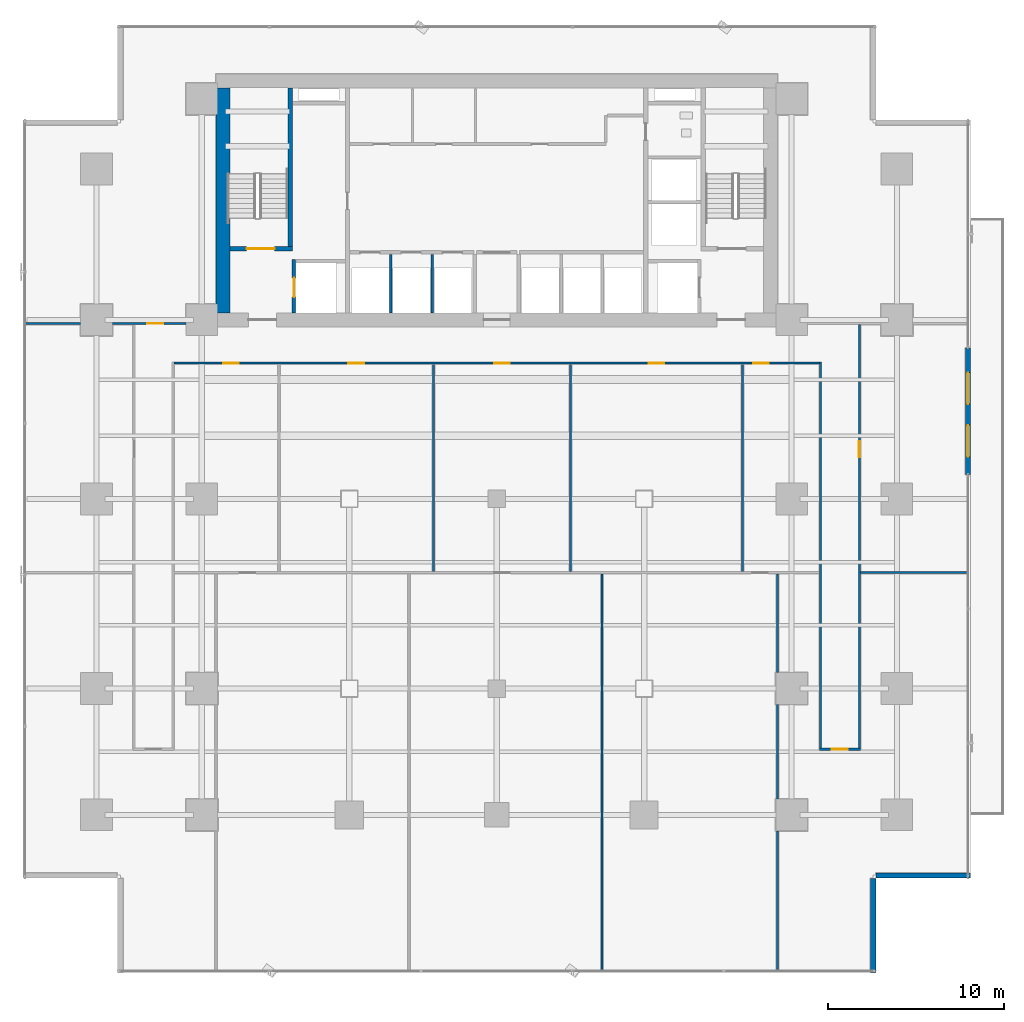
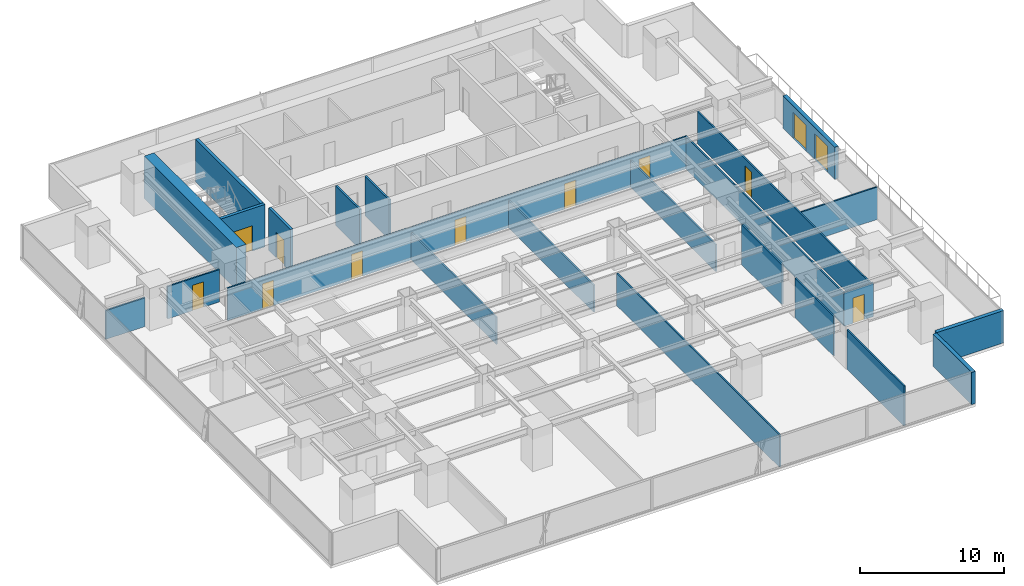
# One storey, part 25 of 33: 23 walls, 12 doors, 12 openings.
"""IFC4 building model written with IfcOpenShell, lengths in metres."""

from ifc_helpers import new_model, si_unit, direction, frame, frame_2d, origin, place, context, subcontext, project, spatial, rectangle, extrude, source, transform, mapped, material, layer, layer_set, type_object, element, fill, save


model = new_model("IFC4")

# Units and contexts
model_context = context("Model", 3, precision=1e-05, world=origin(), true_north=direction((0.0, 1.0)))
body_context = subcontext(model_context, "Body", "Model", "MODEL_VIEW")
ifc_project = project(units=[si_unit("LENGTHUNIT", "METRE"), si_unit("AREAUNIT", "SQUARE_METRE"), si_unit("VOLUMEUNIT", "CUBIC_METRE"), si_unit("PLANEANGLEUNIT", "RADIAN"), si_unit("MASSUNIT", "GRAM", prefix="KILO")], contexts=[model_context])

# Site, building, storey
site_placement = place(None, origin())
site = spatial("IfcSite", under=ifc_project, at=site_placement, CompositionType="ELEMENT")
building_placement = place(site_placement, origin())
building = spatial("IfcBuilding", under=site, at=building_placement, Name="Sumidabori Civic Tower", CompositionType="ELEMENT")
storey_placement = place(building_placement, frame((0.0, 0.0, 23.60009765625)))
storey = spatial("IfcBuildingStorey", under=building, at=storey_placement, Name="L05", CompositionType="ELEMENT", Elevation=23.60009765625)

# Wall
ifc_material_1 = material(Name="Concrete C60/75", Category="concrete")
ifc_layer_1 = layer(ifc_material_1, 0.800048828125, Name="Concrete C60/75")
ifc_layer_set_1 = layer_set([ifc_layer_1], Name="Concrete C60/75")
wall_type_1 = type_object("IfcWallType", Name="WL-CORE-800", PredefinedType="SHEAR", material=ifc_layer_set_1)
shared_shape_1 = source(origin(), body_context, "Body", "SweptSolid", [
    extrude(rectangle(XDim=12.7998046875, YDim=0.800048828125, at=frame_2d((6.39990234375, 0.0))), origin(), (0.0, 0.0, 1.0), 3.599853515625),
])
wall_1_placement = place(storey_placement, frame((-15.60009765625, 10.60009765625, 0.0), z_axis=(0.0, 0.0, 1.0), x_axis=(0.0, 1.0, 0.0)))
element("IfcWall", 1, at=wall_1_placement, inside=storey, type_object=wall_type_1, Name="Core Shear Wall L05 W", PredefinedType="SHEAR", context=body_context, shape_type="MappedRepresentation", body=[
    mapped(shared_shape_1, transform((0.0, 0.0, 0.0), x_axis=(1.0, 0.0, 0.0), y_axis=(0.0, 1.0, 0.0), z_axis=(0.0, 0.0, 1.0), scale=1.0)),
])

# Wall, opening, door
ifc_material_2 = material(Name="Concrete C50/60", Category="concrete")
ifc_layer_2 = layer(ifc_material_2, 0.25, Name="Concrete C50/60")
ifc_layer_set_2 = layer_set([ifc_layer_2], Name="Concrete C50/60")
wall_type_2 = type_object("IfcWallType", Name="WL-SHAFT-250", PredefinedType="SHEAR", material=ifc_layer_set_2)
shared_shape_2 = source(origin(), body_context, "Body", "SweptSolid", [
    extrude(rectangle(XDim=3.554931640625, YDim=0.25, at=frame_2d((1.77734375, 0.0))), origin(), (0.0, 0.0, 1.0), 3.599853515625),
])
wall_2_placement = place(storey_placement, frame((-15.199951171875, 14.25, 0.0), z_axis=(0.0, 0.0, 1.0), x_axis=(1.0, 0.0, 0.0)))
wall_2 = element("IfcWall", 2, at=wall_2_placement, inside=storey, type_object=wall_type_2, Name="Core Shear Wall L05 ST1-S", PredefinedType="SHEAR", context=body_context, shape_type="MappedRepresentation", body=[
    mapped(shared_shape_2, transform((0.0, 0.0, 0.0), x_axis=(1.0, 0.0, 0.0), y_axis=(0.0, 1.0, 0.0), z_axis=(0.0, 0.0, 1.0), scale=1.0)),
])
opening_1_placement = place(wall_2_placement, frame((0.949951171875, 0.0, 0.0)))
opening_1 = element("IfcOpeningElement", 3, at=opening_1_placement, cuts=wall_2, Name="Opening DR-FD4", PredefinedType="OPENING", context=body_context, shape_type="SweptSolid", body=[
    extrude(rectangle(XDim=1.60009765625, YDim=2.14990234375, at=frame_2d((0.800048828125, 1.074951171875))), frame((0.0, 0.136962890625, 0.0), z_axis=(0.0, -1.0, 0.0), x_axis=(1.0, 0.0, 0.0)), (0.0, 0.0, 1.0), 0.27392578125),
])
ifc_material_3 = material(Name="Steel SN490", Category="steel")
door_type_1 = type_object("IfcDoorType", Name="DR-FD4", OperationType="DOUBLE_DOOR_SINGLE_SWING", PredefinedType="DOOR", material=ifc_material_3)
shared_shape_3 = source(origin(), body_context, "Body", "SweptSolid", [
    extrude(rectangle(XDim=1.60009765625, YDim=2.14990234375, at=frame_2d((0.800048828125, 1.074951171875))), frame((0.0, 0.02490234375, 0.0), z_axis=(0.0, -1.0, 0.0), x_axis=(1.0, 0.0, 0.0)), (0.0, 0.0, 1.0), 0.050048828125),
])
door_1_placement = place(opening_1_placement, origin())
door_1 = element("IfcDoor", 4, at=door_1_placement, inside=storey, type_object=door_type_1, Name="Door DR:L05:ST1", OperationType="DOUBLE_DOOR_SINGLE_SWING", OverallHeight=2.14990234375, OverallWidth=1.60009765625, PredefinedType="DOOR", context=body_context, shape_type="MappedRepresentation", body=[
    mapped(shared_shape_3, transform((0.0, 0.0, 0.0), x_axis=(1.0, 0.0, 0.0), y_axis=(0.0, 1.0, 0.0), z_axis=(0.0, 0.0, 1.0), scale=1.0)),
])
fill(opening_1, door_1)

# Wall
shared_shape_4 = source(origin(), body_context, "Body", "SweptSolid", [
    extrude(rectangle(XDim=9.02490234375, YDim=0.25, at=frame_2d((4.512451171875, 0.0))), origin(), (0.0, 0.0, 1.0), 3.599853515625),
])
wall_3_placement = place(storey_placement, frame((-11.77001953125, 14.375, 0.0), z_axis=(0.0, 0.0, 1.0), x_axis=(0.0, 1.0, 0.0)))
element("IfcWall", 5, at=wall_3_placement, inside=storey, type_object=wall_type_2, Name="Core Shear Wall L05 ST1-E", PredefinedType="SHEAR", context=body_context, shape_type="MappedRepresentation", body=[
    mapped(shared_shape_4, transform((0.0, 0.0, 0.0), x_axis=(1.0, 0.0, 0.0), y_axis=(0.0, 1.0, 0.0), z_axis=(0.0, 0.0, 1.0), scale=1.0)),
])

# Wall, opening, door
ifc_layer_3 = layer(ifc_material_2, 0.199951171875, Name="Concrete C50/60")
ifc_layer_set_3 = layer_set([ifc_layer_3], Name="Concrete C50/60")
wall_type_3 = type_object("IfcWallType", Name="WL-SHAFT-200", PredefinedType="SHEAR", material=ifc_layer_set_3)
shared_shape_5 = source(origin(), body_context, "Body", "SweptSolid", [
    extrude(rectangle(XDim=3.0498046875, YDim=0.199951171875, at=frame_2d((1.52490234375, 0.0))), origin(), (0.0, 0.0, 1.0), 3.599853515625),
])
wall_4_placement = place(storey_placement, frame((-11.550048828125, 10.60009765625, 0.0), z_axis=(0.0, 0.0, 1.0), x_axis=(0.0, 1.0, 0.0)))
wall_4 = element("IfcWall", 6, at=wall_4_placement, inside=storey, type_object=wall_type_3, Name="Core Shear Wall L05 EL1-W", PredefinedType="SHEAR", context=body_context, shape_type="MappedRepresentation", body=[
    mapped(shared_shape_5, transform((0.0, 0.0, 0.0), x_axis=(1.0, 0.0, 0.0), y_axis=(0.0, 1.0, 0.0), z_axis=(0.0, 0.0, 1.0), scale=1.0)),
])
opening_2_placement = place(wall_4_placement, frame((0.89990234375, 0.0, 0.0)))
opening_2 = element("IfcOpeningElement", 7, at=opening_2_placement, cuts=wall_4, Name="Opening LD-2", PredefinedType="OPENING", context=body_context, shape_type="SweptSolid", body=[
    extrude(rectangle(XDim=1.10009765625, YDim=2.14990234375, at=frame_2d((0.550048828125, 1.074951171875))), frame((0.0, 0.11181640625, 0.0), z_axis=(0.0, -1.0, 0.0), x_axis=(1.0, 0.0, 0.0)), (0.0, 0.0, 1.0), 0.223876953125),
])
ifc_material_4 = material(Name="Stainless Steel Hairline Finish", Category="steel")
door_type_2 = type_object("IfcDoorType", Name="DR-LD2", OperationType="DOUBLE_DOOR_SLIDING", PredefinedType="DOOR", material=ifc_material_4)
shared_shape_6 = source(origin(), body_context, "Body", "SweptSolid", [
    extrude(rectangle(XDim=1.10009765625, YDim=2.14990234375, at=frame_2d((0.550048828125, 1.074951171875))), frame((0.0, 0.02490234375, 0.0), z_axis=(0.0, -1.0, 0.0), x_axis=(1.0, 0.0, 0.0)), (0.0, 0.0, 1.0), 0.050048828125),
])
door_2_placement = place(opening_2_placement, origin())
door_2 = element("IfcDoor", 8, at=door_2_placement, inside=storey, type_object=door_type_2, Name="Door DR:L05:LD-EL1", OperationType="DOUBLE_DOOR_SLIDING", OverallHeight=2.14990234375, OverallWidth=1.10009765625, PredefinedType="DOOR", context=body_context, shape_type="MappedRepresentation", body=[
    mapped(shared_shape_6, transform((0.0, 0.0, 0.0), x_axis=(1.0, 0.0, 0.0), y_axis=(0.0, 1.0, 0.0), z_axis=(0.0, 0.0, 1.0), scale=1.0)),
])
fill(opening_2, door_2)

# Walls
ifc_material_5 = material(Name="Precast concrete C40/50", Category="concrete")
ifc_layer_4 = layer(ifc_material_5, 0.300048828125, Name="Precast concrete C40/50")
ifc_layer_set_4 = layer_set([ifc_layer_4], Name="Precast concrete C40/50")
wall_type_4 = type_object("IfcWallType", Name="WL-EXT-POD300", PredefinedType="STANDARD", material=ifc_layer_set_4)
shared_shape_7 = source(origin(), body_context, "Body", "SweptSolid", [
    extrude(rectangle(XDim=5.35986328125, YDim=0.300048828125, at=frame_2d((2.679931640625, 0.0))), origin(), (0.0, 0.0, 1.0), 2.739990234375),
])
for number, where, z_axis, x_axis, name in (
    (9, (21.449951171875, -26.97998046875, 0.0), (0.0, 0.0, 1.0), (0.0, 1.0, 0.0), "Notched Corner Spandrel Band L05-02"),
    (10, (21.6201171875, -21.449951171875, 0.0), (0.0, 0.0, 1.0), (1.0, 0.0, 0.0), "Notched Corner Spandrel Band L05-03"),
):
    element("IfcWall", number, at=place(storey_placement, frame(where, z_axis=z_axis, x_axis=x_axis)), inside=storey, type_object=wall_type_4, Name=name, PredefinedType="STANDARD", context=body_context, shape_type="MappedRepresentation", body=[
        mapped(shared_shape_7, transform((0.0, 0.0, 0.0), x_axis=(1.0, 0.0, 0.0), y_axis=(0.0, 1.0, 0.0), z_axis=(0.0, 0.0, 1.0), scale=1.0)),
    ])

# Wall, openings, doors
shared_shape_8 = source(origin(), body_context, "Body", "SweptSolid", [
    extrude(rectangle(XDim=7.2001953125, YDim=0.300048828125, at=frame_2d((3.60009765625, 0.0))), origin(), (0.0, 0.0, 1.0), 2.739990234375),
])
wall_5_placement = place(storey_placement, frame((26.85009765625, 8.60009765625, 0.0), z_axis=(0.0, 0.0, 1.0), x_axis=(0.0, -1.0, 0.0)))
wall_5 = element("IfcWall", 11, at=wall_5_placement, inside=storey, type_object=wall_type_4, Name="East Terrace Access Wall L05", PredefinedType="STANDARD", context=body_context, shape_type="MappedRepresentation", body=[
    mapped(shared_shape_8, transform((0.0, 0.0, 0.0), x_axis=(1.0, 0.0, 0.0), y_axis=(0.0, 1.0, 0.0), z_axis=(0.0, 0.0, 1.0), scale=1.0)),
])
opening_3_placement = place(wall_5_placement, frame((1.39990234375, 0.0, 0.0)))
opening_3 = element("IfcOpeningElement", 12, at=opening_3_placement, cuts=wall_5, Name="Opening DT-1", PredefinedType="OPENING", context=body_context, shape_type="SweptSolid", body=[
    extrude(rectangle(XDim=1.800048828125, YDim=2.199951171875, at=frame_2d((0.89990234375, 1.10009765625))), frame((0.0, 0.162109375, 0.0), z_axis=(0.0, -1.0, 0.0), x_axis=(1.0, 0.0, 0.0)), (0.0, 0.0, 1.0), 0.323974609375),
])
opening_4_placement = place(wall_5_placement, frame((4.39990234375, 0.0, 0.0)))
opening_4 = element("IfcOpeningElement", 13, at=opening_4_placement, cuts=wall_5, Name="Opening DT-1", PredefinedType="OPENING", context=body_context, shape_type="SweptSolid", body=[
    extrude(rectangle(XDim=1.800048828125, YDim=2.199951171875, at=frame_2d((0.89990234375, 1.10009765625))), frame((0.0, 0.162109375, 0.0), z_axis=(0.0, -1.0, 0.0), x_axis=(1.0, 0.0, 0.0)), (0.0, 0.0, 1.0), 0.323974609375),
])
ifc_material_6 = material(Name="Anodised Bronze Aluminium AW-6063-T6", Category="aluminium")
door_type_3 = type_object("IfcDoorType", Name="DR-EXT-TER", OperationType="DOUBLE_DOOR_SINGLE_SWING", PredefinedType="DOOR", material=ifc_material_6)
shared_shape_9 = source(origin(), body_context, "Body", "SweptSolid", [
    extrude(rectangle(XDim=1.800048828125, YDim=2.199951171875, at=frame_2d((0.89990234375, 1.10009765625))), frame((0.0, 0.02490234375, 0.0), z_axis=(0.0, -1.0, 0.0), x_axis=(1.0, 0.0, 0.0)), (0.0, 0.0, 1.0), 0.050048828125),
])
door_3_placement = place(opening_3_placement, origin())
door_3 = element("IfcDoor", 14, at=door_3_placement, inside=storey, type_object=door_type_3, Name="Terrace Access Door L05-1", OperationType="DOUBLE_DOOR_SINGLE_SWING", OverallHeight=2.199951171875, OverallWidth=1.800048828125, PredefinedType="DOOR", context=body_context, shape_type="MappedRepresentation", body=[
    mapped(shared_shape_9, transform((0.0, 0.0, 0.0), x_axis=(1.0, 0.0, 0.0), y_axis=(0.0, 1.0, 0.0), z_axis=(0.0, 0.0, 1.0), scale=1.0)),
])
fill(opening_3, door_3)
door_4_placement = place(opening_4_placement, origin())
door_4 = element("IfcDoor", 15, at=door_4_placement, inside=storey, type_object=door_type_3, Name="Terrace Access Door L05-2", OperationType="DOUBLE_DOOR_SINGLE_SWING", OverallHeight=2.199951171875, OverallWidth=1.800048828125, PredefinedType="DOOR", context=body_context, shape_type="MappedRepresentation", body=[
    mapped(shared_shape_9, transform((0.0, 0.0, 0.0), x_axis=(1.0, 0.0, 0.0), y_axis=(0.0, 1.0, 0.0), z_axis=(0.0, 0.0, 1.0), scale=1.0)),
])
fill(opening_4, door_4)

# Walls
ifc_material_7 = material(Name="Gypsum Plasterboard Acoustic Partition")
ifc_layer_5 = layer(ifc_material_7, 0.14990234375, Name="Gypsum Plasterboard Acoustic Partition")
ifc_layer_set_5 = layer_set([ifc_layer_5], Name="Gypsum Plasterboard Acoustic Partition")
wall_type_5 = type_object("IfcWallType", Name="WL-PART-150", PredefinedType="PARTITIONING", material=ifc_layer_set_5)
shared_shape_10 = source(origin(), body_context, "Body", "SweptSolid", [
    extrude(rectangle(XDim=3.33984375, YDim=0.14990234375, at=frame_2d((1.669921875, 0.0))), origin(), (0.0, 0.0, 1.0), 3.35986328125),
])
for number, where, z_axis, x_axis, name in (
    (16, (-6.030029296875, 10.60009765625, 0.0), (0.0, 0.0, 1.0), (0.0, 1.0, 0.0), "Interior Partition WL:L05:DIV-PLL1"),
    (17, (-3.679931640625, 10.60009765625, 0.0), (0.0, 0.0, 1.0), (0.0, 1.0, 0.0), "Interior Partition WL:L05:DIV-PLL2"),
):
    element("IfcWall", number, at=place(storey_placement, frame(where, z_axis=z_axis, x_axis=x_axis)), inside=storey, type_object=wall_type_5, Name=name, PredefinedType="PARTITIONING", context=body_context, shape_type="MappedRepresentation", body=[
        mapped(shared_shape_10, transform((0.0, 0.0, 0.0), x_axis=(1.0, 0.0, 0.0), y_axis=(0.0, 1.0, 0.0), z_axis=(0.0, 0.0, 1.0), scale=1.0)),
    ])
ifc_layer_6 = layer(ifc_material_7, 0.1201171875, Name="Gypsum Plasterboard Acoustic Partition")
ifc_layer_set_6 = layer_set([ifc_layer_6], Name="Gypsum Plasterboard Acoustic Partition")
wall_type_6 = type_object("IfcWallType", Name="WL-PART-120", PredefinedType="PARTITIONING", material=ifc_layer_set_6)
shared_shape_11 = source(origin(), body_context, "Body", "SweptSolid", [
    extrude(rectangle(XDim=3.14013671875, YDim=0.1201171875, at=frame_2d((1.570068359375, 0.0))), origin(), (0.0, 0.0, 1.0), 2.434814453125),
])
wall_6_placement = place(storey_placement, frame((-26.85009765625, 10.0, 0.0), z_axis=(0.0, 0.0, 1.0), x_axis=(1.0, 0.0, 0.0)))
element("IfcWall", 18, at=wall_6_placement, inside=storey, type_object=wall_type_6, Name="Interior Partition WL:L05:FLK-NW-1", PredefinedType="PARTITIONING", context=body_context, shape_type="MappedRepresentation", body=[
    mapped(shared_shape_11, transform((0.0, 0.0, 0.0), x_axis=(1.0, 0.0, 0.0), y_axis=(0.0, 1.0, 0.0), z_axis=(0.0, 0.0, 1.0), scale=1.0)),
])

# Wall, opening, door
shared_shape_12 = source(origin(), body_context, "Body", "SweptSolid", [
    extrude(rectangle(XDim=4.179931640625, YDim=0.1201171875, at=frame_2d((2.08984375, 0.0))), origin(), (0.0, 0.0, 1.0), 2.744873046875),
])
wall_7_placement = place(storey_placement, frame((-21.889892578125, 10.0, 0.0), z_axis=(0.0, 0.0, 1.0), x_axis=(1.0, 0.0, 0.0)))
wall_7 = element("IfcWall", 19, at=wall_7_placement, inside=storey, type_object=wall_type_6, Name="Interior Partition WL:L05:FLK-NW-2", PredefinedType="PARTITIONING", context=body_context, shape_type="MappedRepresentation", body=[
    mapped(shared_shape_12, transform((0.0, 0.0, 0.0), x_axis=(1.0, 0.0, 0.0), y_axis=(0.0, 1.0, 0.0), z_axis=(0.0, 0.0, 1.0), scale=1.0)),
])
opening_5_placement = place(wall_7_placement, frame((1.985107421875, 0.0, 0.0)))
opening_5 = element("IfcOpeningElement", 20, at=opening_5_placement, cuts=wall_7, Name="Opening DR-1", PredefinedType="OPENING", context=body_context, shape_type="SweptSolid", body=[
    extrude(rectangle(XDim=0.89990234375, YDim=2.14990234375, at=frame_2d((0.449951171875, 1.074951171875))), frame((0.0, 0.072021484375, 0.0), z_axis=(0.0, -1.0, 0.0), x_axis=(1.0, 0.0, 0.0)), (0.0, 0.0, 1.0), 0.14404296875),
])
ifc_material_8 = material(Name="Japanese Hinoki Timber", Category="wood")
door_type_4 = type_object("IfcDoorType", Name="DR-INT-900", OperationType="NOTDEFINED", PredefinedType="DOOR", material=ifc_material_8)
shared_shape_13 = source(origin(), body_context, "Body", "SweptSolid", [
    extrude(rectangle(XDim=0.89990234375, YDim=2.14990234375, at=frame_2d((0.449951171875, 1.074951171875))), frame((0.0, 0.02490234375, 0.0), z_axis=(0.0, -1.0, 0.0), x_axis=(1.0, 0.0, 0.0)), (0.0, 0.0, 1.0), 0.050048828125),
])
door_5_placement = place(opening_5_placement, origin())
door_5 = element("IfcDoor", 21, at=door_5_placement, inside=storey, type_object=door_type_4, Name="Door DR:L05:FLK-NE", OperationType="SINGLE_SWING_LEFT", OverallHeight=2.14990234375, OverallWidth=0.89990234375, PredefinedType="DOOR", context=body_context, shape_type="MappedRepresentation", body=[
    mapped(shared_shape_13, transform((0.0, 0.0, 0.0), x_axis=(1.0, 0.0, 0.0), y_axis=(0.0, 1.0, 0.0), z_axis=(0.0, 0.0, 1.0), scale=1.0)),
])
fill(opening_5, door_5)

# Wall, openings, doors
shared_shape_14 = source(origin(), body_context, "Body", "SweptSolid", [
    extrude(rectangle(XDim=36.759765625, YDim=0.1201171875, at=frame_2d((18.3798828125, 0.0))), origin(), (0.0, 0.0, 1.0), 2.744873046875),
])
wall_8_placement = place(storey_placement, frame((-18.3798828125, 7.739990234375, 0.0), z_axis=(0.0, 0.0, 1.0), x_axis=(1.0, 0.0, 0.0)))
wall_8 = element("IfcWall", 22, at=wall_8_placement, inside=storey, type_object=wall_type_6, Name="Interior Partition WL:L05:CORR-S", PredefinedType="PARTITIONING", context=body_context, shape_type="MappedRepresentation", body=[
    mapped(shared_shape_14, transform((0.0, 0.0, 0.0), x_axis=(1.0, 0.0, 0.0), y_axis=(0.0, 1.0, 0.0), z_axis=(0.0, 0.0, 1.0), scale=1.0)),
])
opening_6_placement = place(wall_8_placement, frame((2.7900390625, 0.0, 0.0)))
opening_6 = element("IfcOpeningElement", 23, at=opening_6_placement, cuts=wall_8, Name="Opening DR-1", PredefinedType="OPENING", context=body_context, shape_type="SweptSolid", body=[
    extrude(rectangle(XDim=0.89990234375, YDim=2.14990234375, at=frame_2d((0.449951171875, 1.074951171875))), frame((0.0, 0.072021484375, 0.0), z_axis=(0.0, -1.0, 0.0), x_axis=(1.0, 0.0, 0.0)), (0.0, 0.0, 1.0), 0.14404296875),
])
opening_7_placement = place(wall_8_placement, frame((32.989990234375, 0.0, 0.0)))
opening_7 = element("IfcOpeningElement", 24, at=opening_7_placement, cuts=wall_8, Name="Opening DR-1", PredefinedType="OPENING", context=body_context, shape_type="SweptSolid", body=[
    extrude(rectangle(XDim=0.89990234375, YDim=2.14990234375, at=frame_2d((0.449951171875, 1.074951171875))), frame((0.0, 0.072021484375, 0.0), z_axis=(0.0, -1.0, 0.0), x_axis=(1.0, 0.0, 0.0)), (0.0, 0.0, 1.0), 0.14404296875),
])
opening_8_placement = place(wall_8_placement, frame((9.929931640625, 0.0, 0.0)))
opening_8 = element("IfcOpeningElement", 25, at=opening_8_placement, cuts=wall_8, Name="Opening DR-1", PredefinedType="OPENING", context=body_context, shape_type="SweptSolid", body=[
    extrude(rectangle(XDim=0.89990234375, YDim=2.14990234375, at=frame_2d((0.449951171875, 1.074951171875))), frame((0.0, 0.072021484375, 0.0), z_axis=(0.0, -1.0, 0.0), x_axis=(1.0, 0.0, 0.0)), (0.0, 0.0, 1.0), 0.14404296875),
])
opening_9_placement = place(wall_8_placement, frame((18.22998046875, 0.0, 0.0)))
opening_9 = element("IfcOpeningElement", 26, at=opening_9_placement, cuts=wall_8, Name="Opening DR-1", PredefinedType="OPENING", context=body_context, shape_type="SweptSolid", body=[
    extrude(rectangle(XDim=0.89990234375, YDim=2.14990234375, at=frame_2d((0.449951171875, 1.074951171875))), frame((0.0, 0.072021484375, 0.0), z_axis=(0.0, -1.0, 0.0), x_axis=(1.0, 0.0, 0.0)), (0.0, 0.0, 1.0), 0.14404296875),
])
opening_10_placement = place(wall_8_placement, frame((27.030029296875, 0.0, 0.0)))
opening_10 = element("IfcOpeningElement", 27, at=opening_10_placement, cuts=wall_8, Name="Opening DR-1", PredefinedType="OPENING", context=body_context, shape_type="SweptSolid", body=[
    extrude(rectangle(XDim=0.89990234375, YDim=2.14990234375, at=frame_2d((0.449951171875, 1.074951171875))), frame((0.0, 0.072021484375, 0.0), z_axis=(0.0, -1.0, 0.0), x_axis=(1.0, 0.0, 0.0)), (0.0, 0.0, 1.0), 0.14404296875),
])
door_6_placement = place(opening_6_placement, origin())
door_6 = element("IfcDoor", 28, at=door_6_placement, inside=storey, type_object=door_type_4, Name="Door DR:L05:D04", OperationType="SINGLE_SWING_RIGHT", OverallHeight=2.14990234375, OverallWidth=0.89990234375, PredefinedType="DOOR", context=body_context, shape_type="MappedRepresentation", body=[
    mapped(shared_shape_13, transform((0.0, 0.0, 0.0), x_axis=(1.0, 0.0, 0.0), y_axis=(0.0, 1.0, 0.0), z_axis=(0.0, 0.0, 1.0), scale=1.0)),
])
fill(opening_6, door_6)
door_7_placement = place(opening_7_placement, origin())
door_7 = element("IfcDoor", 29, at=door_7_placement, inside=storey, type_object=door_type_4, Name="Door DR:L05:D05", OperationType="SINGLE_SWING_LEFT", OverallHeight=2.14990234375, OverallWidth=0.89990234375, PredefinedType="DOOR", context=body_context, shape_type="MappedRepresentation", body=[
    mapped(shared_shape_13, transform((0.0, 0.0, 0.0), x_axis=(1.0, 0.0, 0.0), y_axis=(0.0, 1.0, 0.0), z_axis=(0.0, 0.0, 1.0), scale=1.0)),
])
fill(opening_7, door_7)
door_8_placement = place(opening_8_placement, origin())
door_8 = element("IfcDoor", 30, at=door_8_placement, inside=storey, type_object=door_type_4, Name="Door DR:L05:D06", OperationType="SINGLE_SWING_RIGHT", OverallHeight=2.14990234375, OverallWidth=0.89990234375, PredefinedType="DOOR", context=body_context, shape_type="MappedRepresentation", body=[
    mapped(shared_shape_13, transform((0.0, 0.0, 0.0), x_axis=(1.0, 0.0, 0.0), y_axis=(0.0, 1.0, 0.0), z_axis=(0.0, 0.0, 1.0), scale=1.0)),
])
fill(opening_8, door_8)
door_9_placement = place(opening_9_placement, origin())
door_9 = element("IfcDoor", 31, at=door_9_placement, inside=storey, type_object=door_type_4, Name="Door DR:L05:D07", OperationType="SINGLE_SWING_LEFT", OverallHeight=2.14990234375, OverallWidth=0.89990234375, PredefinedType="DOOR", context=body_context, shape_type="MappedRepresentation", body=[
    mapped(shared_shape_13, transform((0.0, 0.0, 0.0), x_axis=(1.0, 0.0, 0.0), y_axis=(0.0, 1.0, 0.0), z_axis=(0.0, 0.0, 1.0), scale=1.0)),
])
fill(opening_9, door_9)
door_10_placement = place(opening_10_placement, origin())
door_10 = element("IfcDoor", 32, at=door_10_placement, inside=storey, type_object=door_type_4, Name="Door DR:L05:D08", OperationType="SINGLE_SWING_RIGHT", OverallHeight=2.14990234375, OverallWidth=0.89990234375, PredefinedType="DOOR", context=body_context, shape_type="MappedRepresentation", body=[
    mapped(shared_shape_13, transform((0.0, 0.0, 0.0), x_axis=(1.0, 0.0, 0.0), y_axis=(0.0, 1.0, 0.0), z_axis=(0.0, 0.0, 1.0), scale=1.0)),
])
fill(opening_10, door_10)

# Wall, opening, door
shared_shape_15 = source(origin(), body_context, "Body", "SweptSolid", [
    extrude(rectangle(XDim=2.340087890625, YDim=0.1201171875, at=frame_2d((1.169921875, 0.0))), origin(), (0.0, 0.0, 1.0), 2.89501953125),
])
wall_9_placement = place(storey_placement, frame((18.3798828125, -14.260009765625, 0.0), z_axis=(0.0, 0.0, 1.0), x_axis=(1.0, 0.0, 0.0)))
wall_9 = element("IfcWall", 33, at=wall_9_placement, inside=storey, type_object=wall_type_6, Name="Interior Partition WL:L05:CORR-CAP-E", PredefinedType="PARTITIONING", context=body_context, shape_type="MappedRepresentation", body=[
    mapped(shared_shape_15, transform((0.0, 0.0, 0.0), x_axis=(1.0, 0.0, 0.0), y_axis=(0.0, 1.0, 0.0), z_axis=(0.0, 0.0, 1.0), scale=1.0)),
])
opening_11_placement = place(wall_9_placement, frame((0.719970703125, 0.0, 0.0)))
opening_11 = element("IfcOpeningElement", 34, at=opening_11_placement, cuts=wall_9, Name="Opening DR-1", PredefinedType="OPENING", context=body_context, shape_type="SweptSolid", body=[
    extrude(rectangle(XDim=0.89990234375, YDim=2.14990234375, at=frame_2d((0.449951171875, 1.074951171875))), frame((0.0, 0.072021484375, 0.0), z_axis=(0.0, -1.0, 0.0), x_axis=(1.0, 0.0, 0.0)), (0.0, 0.0, 1.0), 0.14404296875),
])
door_11_placement = place(opening_11_placement, origin())
door_11 = element("IfcDoor", 35, at=door_11_placement, inside=storey, type_object=door_type_4, Name="Door DR:L05:D10", OperationType="SINGLE_SWING_RIGHT", OverallHeight=2.14990234375, OverallWidth=0.89990234375, PredefinedType="DOOR", context=body_context, shape_type="MappedRepresentation", body=[
    mapped(shared_shape_13, transform((0.0, 0.0, 0.0), x_axis=(1.0, 0.0, 0.0), y_axis=(0.0, 1.0, 0.0), z_axis=(0.0, 0.0, 1.0), scale=1.0)),
])
fill(opening_11, door_11)

shared_shape_16 = source(origin(), body_context, "Body", "SweptSolid", [
    extrude(rectangle(XDim=24.130126953125, YDim=0.1201171875, at=frame_2d((12.06494140625, 0.0))), origin(), (0.0, 0.0, 1.0), 2.744873046875),
])
wall_10_placement = place(storey_placement, frame((20.659912109375, -14.195068359375, 0.0), z_axis=(0.0, 0.0, 1.0), x_axis=(0.0, 1.0, 0.0)))
wall_10 = element("IfcWall", 36, at=wall_10_placement, inside=storey, type_object=wall_type_6, Name="Interior Partition WL:L05:CORR-VE-OUT", PredefinedType="PARTITIONING", context=body_context, shape_type="MappedRepresentation", body=[
    mapped(shared_shape_16, transform((0.0, 0.0, 0.0), x_axis=(1.0, 0.0, 0.0), y_axis=(0.0, 1.0, 0.0), z_axis=(0.0, 0.0, 1.0), scale=1.0)),
])
opening_12_placement = place(wall_10_placement, frame((16.58251953125, 0.0, 0.0)))
opening_12 = element("IfcOpeningElement", 37, at=opening_12_placement, cuts=wall_10, Name="Opening DR-1", PredefinedType="OPENING", context=body_context, shape_type="SweptSolid", body=[
    extrude(rectangle(XDim=0.89990234375, YDim=2.14990234375, at=frame_2d((0.449951171875, 1.074951171875))), frame((0.0, 0.072021484375, 0.0), z_axis=(0.0, -1.0, 0.0), x_axis=(1.0, 0.0, 0.0)), (0.0, 0.0, 1.0), 0.14404296875),
])
door_12_placement = place(opening_12_placement, origin())
door_12 = element("IfcDoor", 38, at=door_12_placement, inside=storey, type_object=door_type_4, Name="Door DR:L05:D03", OperationType="SINGLE_SWING_LEFT", OverallHeight=2.14990234375, OverallWidth=0.89990234375, PredefinedType="DOOR", context=body_context, shape_type="MappedRepresentation", body=[
    mapped(shared_shape_13, transform((0.0, 0.0, 0.0), x_axis=(1.0, 0.0, 0.0), y_axis=(0.0, 1.0, 0.0), z_axis=(0.0, 0.0, 1.0), scale=1.0)),
])
fill(opening_12, door_12)

# Walls
shared_shape_17 = source(origin(), body_context, "Body", "SweptSolid", [
    extrude(rectangle(XDim=21.9951171875, YDim=0.1201171875, at=frame_2d((10.99755859375, 0.0))), origin(), (0.0, 0.0, 1.0), 2.744873046875),
])
wall_11_placement = place(storey_placement, frame((18.43994140625, -14.195068359375, 0.0), z_axis=(0.0, 0.0, 1.0), x_axis=(0.0, 1.0, 0.0)))
element("IfcWall", 39, at=wall_11_placement, inside=storey, type_object=wall_type_6, Name="Interior Partition WL:L05:CORR-VE-IN", PredefinedType="PARTITIONING", context=body_context, shape_type="MappedRepresentation", body=[
    mapped(shared_shape_17, transform((0.0, 0.0, 0.0), x_axis=(1.0, 0.0, 0.0), y_axis=(0.0, 1.0, 0.0), z_axis=(0.0, 0.0, 1.0), scale=1.0)),
])
shared_shape_18 = source(origin(), body_context, "Body", "SweptSolid", [
    extrude(rectangle(XDim=6.125, YDim=0.1201171875, at=frame_2d((3.0625, 0.0))), origin(), (0.0, 0.0, 1.0), 2.744873046875),
])
wall_12_placement = place(storey_placement, frame((20.72509765625, -4.199951171875, 0.0), z_axis=(0.0, 0.0, 1.0), x_axis=(1.0, 0.0, 0.0)))
element("IfcWall", 40, at=wall_12_placement, inside=storey, type_object=wall_type_6, Name="Interior Partition WL:L05:BAND-Y-3", PredefinedType="PARTITIONING", context=body_context, shape_type="MappedRepresentation", body=[
    mapped(shared_shape_18, transform((0.0, 0.0, 0.0), x_axis=(1.0, 0.0, 0.0), y_axis=(0.0, 1.0, 0.0), z_axis=(0.0, 0.0, 1.0), scale=1.0)),
])
shared_shape_19 = source(origin(), body_context, "Body", "SweptSolid", [
    extrude(rectangle(XDim=11.81005859375, YDim=0.1201171875, at=frame_2d((5.905029296875, 0.0))), origin(), (0.0, 0.0, 1.0), 2.30078125),
])
for number, where, z_axis, x_axis, name in (
    (41, (-3.60009765625, -4.135009765625, 0.0), (0.0, 0.0, 1.0), (0.0, 1.0, 0.0), "Interior Partition WL:L05:VX-N3"),
    (42, (4.199951171875, -4.135009765625, 0.0), (0.0, 0.0, 1.0), (0.0, 1.0, 0.0), "Interior Partition WL:L05:VX-N4"),
    (43, (14.0, -4.135009765625, 0.0), (0.0, 0.0, 1.0), (0.0, 1.0, 0.0), "Interior Partition WL:L05:VX-N5"),
):
    element("IfcWall", number, at=place(storey_placement, frame(where, z_axis=z_axis, x_axis=x_axis)), inside=storey, type_object=wall_type_6, Name=name, PredefinedType="PARTITIONING", context=body_context, shape_type="MappedRepresentation", body=[
        mapped(shared_shape_19, transform((0.0, 0.0, 0.0), x_axis=(1.0, 0.0, 0.0), y_axis=(0.0, 1.0, 0.0), z_axis=(0.0, 0.0, 1.0), scale=1.0)),
    ])
shared_shape_20 = source(origin(), body_context, "Body", "SweptSolid", [
    extrude(rectangle(XDim=7.940185546875, YDim=0.1201171875, at=frame_2d((3.97021484375, 0.0))), origin(), (0.0, 0.0, 1.0), 3.35986328125),
])
wall_13_placement = place(storey_placement, frame((16.0, -26.85009765625, 0.0), z_axis=(0.0, 0.0, 1.0), x_axis=(0.0, 1.0, 0.0)))
element("IfcWall", 44, at=wall_13_placement, inside=storey, type_object=wall_type_6, Name="Interior Partition WL:L05:VX-S4-1", PredefinedType="PARTITIONING", context=body_context, shape_type="MappedRepresentation", body=[
    mapped(shared_shape_20, transform((0.0, 0.0, 0.0), x_axis=(1.0, 0.0, 0.0), y_axis=(0.0, 1.0, 0.0), z_axis=(0.0, 0.0, 1.0), scale=1.0)),
])
shared_shape_21 = source(origin(), body_context, "Body", "SweptSolid", [
    extrude(rectangle(XDim=5.380126953125, YDim=0.1201171875, at=frame_2d((2.68994140625, 0.0))), origin(), (0.0, 0.0, 1.0), 3.35986328125),
])
wall_14_placement = place(storey_placement, frame((16.0, -17.090087890625, 0.0), z_axis=(0.0, 0.0, 1.0), x_axis=(0.0, 1.0, 0.0)))
element("IfcWall", 45, at=wall_14_placement, inside=storey, type_object=wall_type_6, Name="Interior Partition WL:L05:VX-S4-2", PredefinedType="PARTITIONING", context=body_context, shape_type="MappedRepresentation", body=[
    mapped(shared_shape_21, transform((0.0, 0.0, 0.0), x_axis=(1.0, 0.0, 0.0), y_axis=(0.0, 1.0, 0.0), z_axis=(0.0, 0.0, 1.0), scale=1.0)),
])
shared_shape_22 = source(origin(), body_context, "Body", "SweptSolid", [
    extrude(rectangle(XDim=5.625, YDim=0.1201171875, at=frame_2d((2.8125, 0.0))), origin(), (0.0, 0.0, 1.0), 3.35986328125),
])
wall_15_placement = place(storey_placement, frame((16.0, -9.889892578125, 0.0), z_axis=(0.0, 0.0, 1.0), x_axis=(0.0, 1.0, 0.0)))
element("IfcWall", 46, at=wall_15_placement, inside=storey, type_object=wall_type_6, Name="Interior Partition WL:L05:VX-S4-3", PredefinedType="PARTITIONING", context=body_context, shape_type="MappedRepresentation", body=[
    mapped(shared_shape_22, transform((0.0, 0.0, 0.0), x_axis=(1.0, 0.0, 0.0), y_axis=(0.0, 1.0, 0.0), z_axis=(0.0, 0.0, 1.0), scale=1.0)),
])
shared_shape_23 = source(origin(), body_context, "Body", "SweptSolid", [
    extrude(rectangle(XDim=22.585205078125, YDim=0.1201171875, at=frame_2d((11.29248046875, 0.0))), origin(), (0.0, 0.0, 1.0), 2.744873046875),
])
wall_16_placement = place(storey_placement, frame((6.0, -26.85009765625, 0.0), z_axis=(0.0, 0.0, 1.0), x_axis=(0.0, 1.0, 0.0)))
element("IfcWall", 47, at=wall_16_placement, inside=storey, type_object=wall_type_6, Name="Interior Partition WL:L05:VX-S3", PredefinedType="PARTITIONING", context=body_context, shape_type="MappedRepresentation", body=[
    mapped(shared_shape_23, transform((0.0, 0.0, 0.0), x_axis=(1.0, 0.0, 0.0), y_axis=(0.0, 1.0, 0.0), z_axis=(0.0, 0.0, 1.0), scale=1.0)),
])

save(model, "model.ifc")
